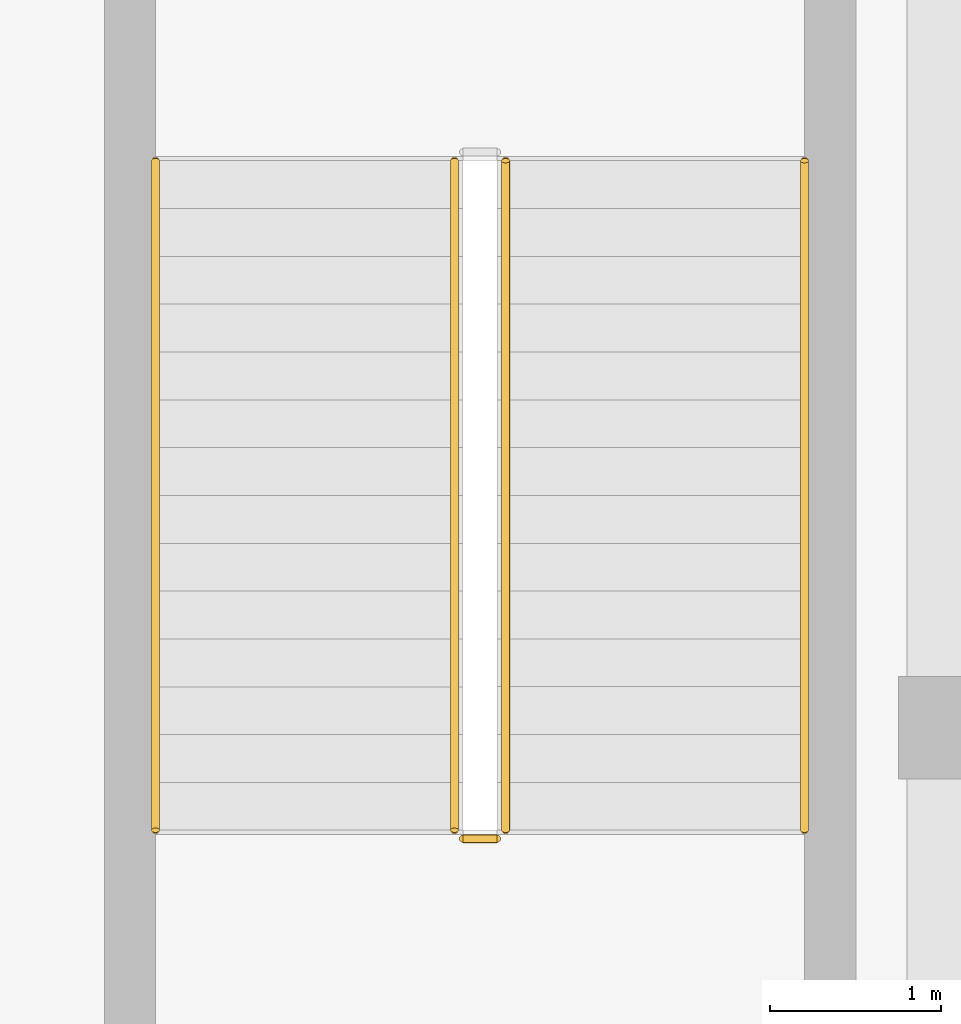
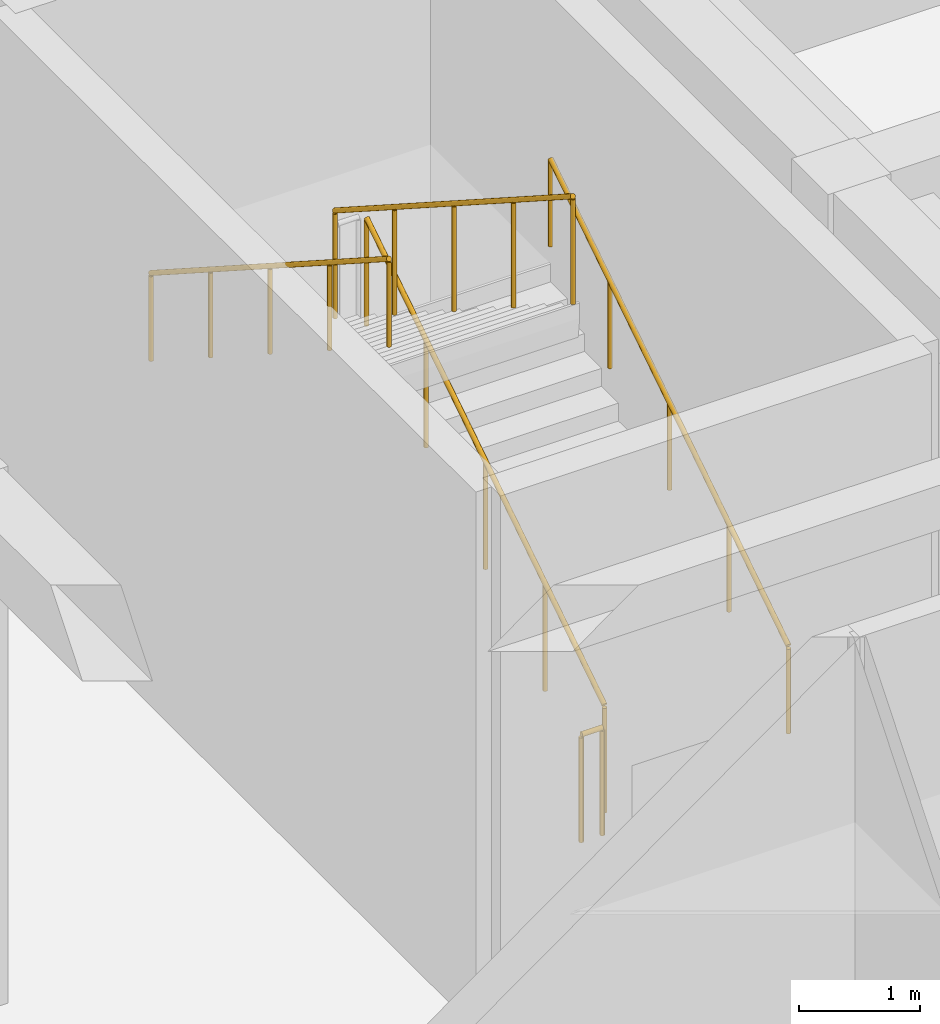
# One storey, part 145 of 157: 5 railings.
"""IFC4 building model written with IfcOpenShell, lengths in metres."""

from ifc_helpers import new_model, si_unit, direction, frame, origin, origin_2d, place, context, subcontext, project, spatial, circle, extrude, material, type_object, element, save


model = new_model("IFC4")

# Units and contexts
model_context = context("Model", 3, precision=1e-05, world=origin(), true_north=direction((0.0, 1.0)))
body_context = subcontext(model_context, "Body", "Model", "MODEL_VIEW")
ifc_project = project(units=[si_unit("LENGTHUNIT", "METRE"), si_unit("AREAUNIT", "SQUARE_METRE"), si_unit("VOLUMEUNIT", "CUBIC_METRE"), si_unit("PLANEANGLEUNIT", "RADIAN"), si_unit("MASSUNIT", "GRAM", prefix="KILO")], contexts=[model_context])

# Site, building, storey
site_placement = place(None, origin())
site = spatial("IfcSite", under=ifc_project, at=site_placement, CompositionType="ELEMENT")
building_placement = place(site_placement, origin())
building = spatial("IfcBuilding", under=site, at=building_placement, Name="Varncliffe General Hospital", CompositionType="ELEMENT")
storey_placement = place(building_placement, frame((0.0, 0.0, 5.39990234375)))
storey = spatial("IfcBuildingStorey", under=building, at=storey_placement, Name="L01", CompositionType="ELEMENT", Elevation=5.39990234375)

# Railings
ifc_material = material(Name="Powder-coated hospital steel guardrail and handrail", Category="steel")
railing_type_1 = type_object("IfcRailingType", Name="Stair and Ramp Handrail HR46", PredefinedType="HANDRAIL", material=ifc_material)
railing_1_placement = place(storey_placement, frame((116.75, 90.60009765625, 0.364013671875)))
element("IfcRailing", 1, at=railing_1_placement, inside=storey, type_object=railing_type_1, Name="L01 ST06 stair handrail 1", PredefinedType="HANDRAIL", context=body_context, shape_type="SweptSolid", body=[
    extrude(circle(Radius=0.02392578125, at=origin_2d()), frame((0.0, 0.0, 0.8759765625), z_axis=(0.0, 0.841171666519, 0.540768182723), x_axis=(-1.0, 0.0, 0.0)), (0.0, 0.0, 1.0), 4.66015625),
    extrude(circle(Radius=0.02099609375, at=origin_2d()), origin(), (0.0, 0.0, 1.0), 0.851806640625),
    extrude(circle(Radius=0.02099609375, at=origin_2d()), frame((0.0, 0.97998046875, 0.6298828125)), (0.0, 0.0, 1.0), 0.851806640625),
    extrude(circle(Radius=0.02099609375, at=origin_2d()), frame((0.0, 1.9599609375, 1.260009765625)), (0.0, 0.0, 1.0), 0.851806640625),
    extrude(circle(Radius=0.02099609375, at=origin_2d()), frame((0.0, 2.93994140625, 1.89013671875)), (0.0, 0.0, 1.0), 0.851806640625),
    extrude(circle(Radius=0.02099609375, at=origin_2d()), frame((0.0, 3.919921875, 2.52001953125)), (0.0, 0.0, 1.0), 0.851806640625),
])
railing_2_placement = place(storey_placement, frame((112.949951171875, 94.52001953125, 3.064208984375)))
element("IfcRailing", 2, at=railing_2_placement, inside=storey, type_object=railing_type_1, Name="L01 ST06 stair handrail 2", PredefinedType="HANDRAIL", context=body_context, shape_type="SweptSolid", body=[
    extrude(circle(Radius=0.02392578125, at=origin_2d()), frame((0.0, 0.0, 0.8759765625), z_axis=(0.0, -0.84119549742, 0.540731111663), x_axis=(1.0, 0.0, 0.0)), (0.0, 0.0, 1.0), 4.659912109375),
    extrude(circle(Radius=0.02099609375, at=origin_2d()), origin(), (0.0, 0.0, 1.0), 0.851806640625),
    extrude(circle(Radius=0.02099609375, at=origin_2d()), frame((0.0, -0.97998046875, 0.6298828125)), (0.0, 0.0, 1.0), 0.851806640625),
    extrude(circle(Radius=0.02099609375, at=origin_2d()), frame((0.0, -1.9599609375, 1.259765625)), (0.0, 0.0, 1.0), 0.851806640625),
    extrude(circle(Radius=0.02099609375, at=origin_2d()), frame((0.0, -2.93994140625, 1.889892578125)), (0.0, 0.0, 1.0), 0.851806640625),
    extrude(circle(Radius=0.02099609375, at=origin_2d()), frame((0.0, -3.919921875, 2.519775390625)), (0.0, 0.0, 1.0), 0.851806640625),
])
railing_type_2 = type_object("IfcRailingType", Name="Stairwell Guardrail SG49", PredefinedType="GUARDRAIL", material=ifc_material)
railing_3_placement = place(storey_placement, frame((115.0, 90.60009765625, 0.18017578125)))
element("IfcRailing", 3, at=railing_3_placement, inside=storey, type_object=railing_type_2, Name="L01 ST06 stair guard 1", PredefinedType="GUARDRAIL", context=body_context, shape_type="SweptSolid", body=[
    extrude(circle(Radius=0.02392578125, at=origin_2d()), frame((0.0, 0.0, 1.076171875), z_axis=(0.0, 0.841171666519, 0.540768182723), x_axis=(-1.0, 0.0, 0.0)), (0.0, 0.0, 1.0), 4.66015625),
    extrude(circle(Radius=0.02099609375, at=origin_2d()), origin(), (0.0, 0.0, 1.0), 1.052001953125),
    extrude(circle(Radius=0.02099609375, at=origin_2d()), frame((0.0, 0.97998046875, 0.6298828125)), (0.0, 0.0, 1.0), 1.052001953125),
    extrude(circle(Radius=0.02099609375, at=origin_2d()), frame((0.0, 1.9599609375, 1.260009765625)), (0.0, 0.0, 1.0), 1.052001953125),
    extrude(circle(Radius=0.02099609375, at=origin_2d()), frame((0.0, 2.93994140625, 1.89013671875)), (0.0, 0.0, 1.0), 1.052001953125),
    extrude(circle(Radius=0.02099609375, at=origin_2d()), frame((0.0, 3.919921875, 2.52001953125)), (0.0, 0.0, 1.0), 1.052001953125),
])
railing_4_placement = place(storey_placement, frame((114.699951171875, 94.52001953125, 2.880126953125)))
element("IfcRailing", 4, at=railing_4_placement, inside=storey, type_object=railing_type_2, Name="L01 ST06 stair guard 3", PredefinedType="GUARDRAIL", context=body_context, shape_type="SweptSolid", body=[
    extrude(circle(Radius=0.02392578125, at=origin_2d()), frame((0.0, 0.0, 1.076171875), z_axis=(0.0, -0.841171666519, 0.540768182723), x_axis=(1.0, 0.0, 0.0)), (0.0, 0.0, 1.0), 4.66015625),
    extrude(circle(Radius=0.02099609375, at=origin_2d()), origin(), (0.0, 0.0, 1.0), 1.052001953125),
    extrude(circle(Radius=0.02099609375, at=origin_2d()), frame((0.0, -0.97998046875, 0.6298828125)), (0.0, 0.0, 1.0), 1.052001953125),
    extrude(circle(Radius=0.02099609375, at=origin_2d()), frame((0.0, -1.9599609375, 1.260009765625)), (0.0, 0.0, 1.0), 1.052001953125),
    extrude(circle(Radius=0.02099609375, at=origin_2d()), frame((0.0, -2.93994140625, 1.89013671875)), (0.0, 0.0, 1.0), 1.052001953125),
    extrude(circle(Radius=0.02099609375, at=origin_2d()), frame((0.0, -3.919921875, 2.52001953125)), (0.0, 0.0, 1.0), 1.052001953125),
])
railing_5_placement = place(storey_placement, frame((114.949951171875, 90.550048828125, 0.0)))
element("IfcRailing", 5, at=railing_5_placement, inside=storey, type_object=railing_type_2, Name="L01 ST06 stair guard 4", PredefinedType="GUARDRAIL", context=body_context, shape_type="SweptSolid", body=[
    extrude(circle(Radius=0.02392578125, at=origin_2d()), frame((0.0, 0.0, 1.076171875), z_axis=(-1.0, 0.0, 0.0), x_axis=(0.0, -1.0, 0.0)), (0.0, 0.0, 1.0), 0.199951171875),
    extrude(circle(Radius=0.02099609375, at=origin_2d()), origin(), (0.0, 0.0, 1.0), 1.052001953125),
    extrude(circle(Radius=0.02099609375, at=origin_2d()), frame((-0.199951171875, 0.0, 0.0)), (0.0, 0.0, 1.0), 1.052001953125),
])

save(model, "model.ifc")
